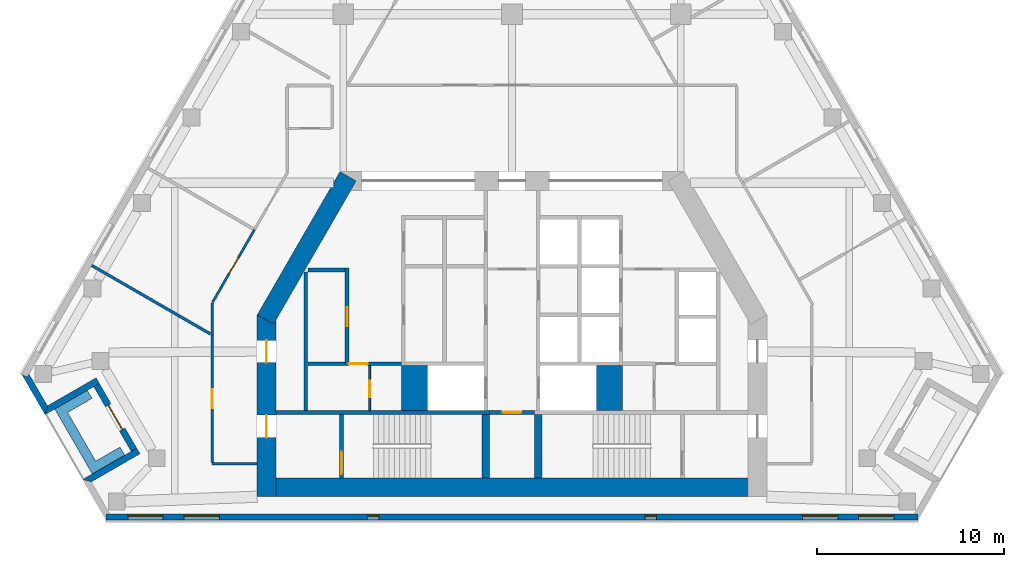
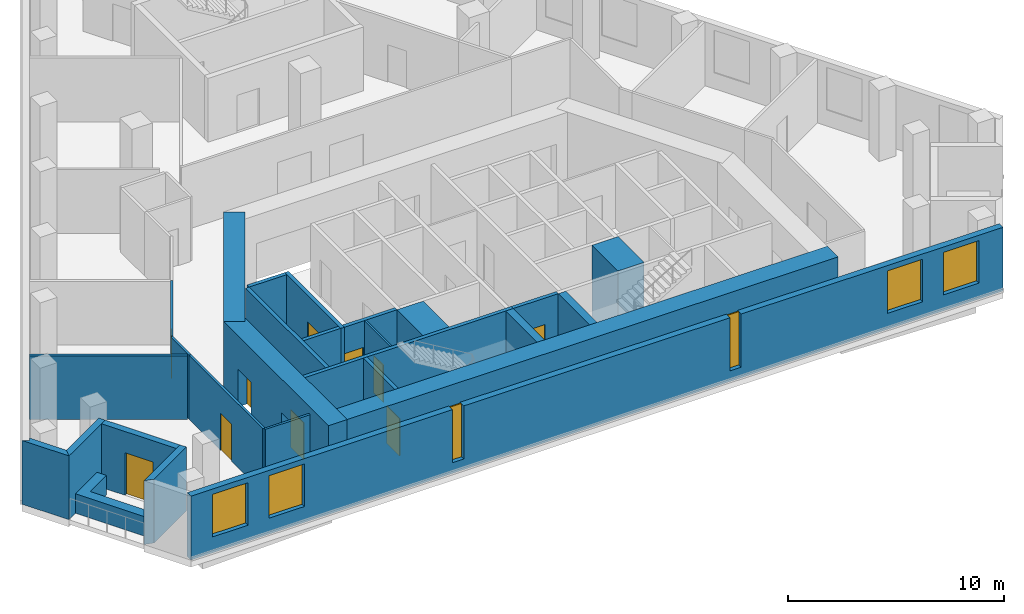
# One storey, part 2 of 7: 27 walls, 10 doors, 6 windows, 16 openings.
"""IFC4 building model written with IfcOpenShell, lengths in metres."""

from ifc_helpers import new_model, si_unit, direction, frame, frame_2d, origin, place, context, subcontext, project, spatial, polyline, rectangle, outline, extrude, material, layer, layer_set, type_object, element, fill, save


model = new_model("IFC4")

# Units and contexts
model_context = context("Model", 3, precision=1e-05, world=origin(), true_north=direction((0.0, 1.0)))
body_context = subcontext(model_context, "Body", "Model", "MODEL_VIEW")
ifc_project = project(units=[si_unit("LENGTHUNIT", "METRE"), si_unit("AREAUNIT", "SQUARE_METRE"), si_unit("VOLUMEUNIT", "CUBIC_METRE"), si_unit("PLANEANGLEUNIT", "RADIAN"), si_unit("MASSUNIT", "GRAM", prefix="KILO")], contexts=[model_context])

# Site, building, storey
site_placement = place(None, origin())
site = spatial("IfcSite", under=ifc_project, at=site_placement, CompositionType="ELEMENT")
building_placement = place(site_placement, origin())
building = spatial("IfcBuilding", under=site, at=building_placement, Name="Fogline Exchange Tower", CompositionType="ELEMENT")
storey_placement = place(building_placement, frame((0.0, 0.0, 247.5)))
storey = spatial("IfcBuildingStorey", under=building, at=storey_placement, Name="L56", CompositionType="ELEMENT", Elevation=247.5)

# Wall, opening, door
ifc_material_1 = material(Name="Blockwork partition", Category="masonry")
ifc_layer_1 = layer(ifc_material_1, 0.10009765625)
ifc_layer_set_1 = layer_set([ifc_layer_1], Name="CW10")
wall_type_1 = type_object("IfcWallType", Name="CW10", PredefinedType="PARTITIONING", material=ifc_layer_set_1)
wall_1_placement = place(storey_placement, frame((-7.60009765625, 5.85009765625, 0.0), z_axis=(0.0, 0.0, 1.0), x_axis=(0.0, 1.0, 0.0)))
wall_1 = element("IfcWall", 1, at=wall_1_placement, inside=storey, type_object=wall_type_1, Name="WC partition", PredefinedType="PARTITIONING", context=body_context, shape_type="SweptSolid", body=[
    extrude(rectangle(XDim=2.39990234375, YDim=0.10009765625, at=frame_2d((1.199951171875, 0.0))), origin(), (0.0, 0.0, 1.0), 3.60009765625),
])
opening_1_placement = place(wall_1_placement, frame((0.699951171875, 0.0, 0.0)))
opening_1 = element("IfcOpeningElement", 2, at=opening_1_placement, cuts=wall_1, Name="Opening T18-C009", PredefinedType="OPENING", context=body_context, shape_type="SweptSolid", body=[
    extrude(rectangle(XDim=0.89990234375, YDim=2.10009765625, at=frame_2d((0.449951171875, 1.050048828125))), frame((0.0, 0.06005859375, 0.0), z_axis=(0.0, -1.0, 0.0), x_axis=(1.0, 0.0, 0.0)), (0.0, 0.0, 1.0), 0.1201171875),
])
ifc_material_2 = material(Name="Steel and timber fire door", Category="steel")
door_type_1 = type_object("IfcDoorType", Name="D-CS1", OperationType="SINGLE_SWING_RIGHT", PredefinedType="DOOR", material=ifc_material_2)
door_1_placement = place(opening_1_placement, frame((0.89990234375, 0.0, 0.0), z_axis=(0.0, 0.0, 1.0), x_axis=(-1.0, 0.0, 0.0)))
door_1 = element("IfcDoor", 3, at=door_1_placement, inside=storey, type_object=door_type_1, Name="Door to Cleaner's Store", OperationType="SINGLE_SWING_RIGHT", OverallHeight=2.10009765625, OverallWidth=0.89990234375, PredefinedType="DOOR", context=body_context, shape_type="SweptSolid", body=[
    extrude(rectangle(XDim=0.89990234375, YDim=2.10009765625, at=frame_2d((0.449951171875, 1.050048828125))), frame((0.0, 0.02490234375, 0.0), z_axis=(0.0, -1.0, 0.0), x_axis=(1.0, 0.0, 0.0)), (0.0, 0.0, 1.0), 0.050048828125),
])
fill(opening_1, door_1)

# Walls
ifc_material_3 = material(Name="Concrete C60", Category="concrete")
ifc_layer_2 = layer(ifc_material_3, 1.39990234375)
ifc_layer_set_2 = layer_set([ifc_layer_2], Name="CW140")
wall_type_2 = type_object("IfcWallType", Name="CW140", PredefinedType="SOLIDWALL", material=ifc_layer_set_2)
for number, where, z_axis, x_axis, name in (
    (4, (-5.199951171875, 5.85009765625, -0.39990234375), (0.0, 0.0, 1.0), (0.0, 1.0, 0.0), "Lift shaft block wall"),
    (5, (5.199951171875, 5.85009765625, -0.39990234375), (0.0, 0.0, 1.0), (0.0, 1.0, 0.0), "Lift shaft block wall"),
):
    element("IfcWall", number, at=place(storey_placement, frame(where, z_axis=z_axis, x_axis=x_axis)), inside=storey, type_object=wall_type_2, Name=name, PredefinedType="SOLIDWALL", context=body_context, shape_type="SweptSolid", body=[
        extrude(rectangle(XDim=2.39990234375, YDim=1.39990234375, at=frame_2d((1.199951171875, 0.0))), origin(), (0.0, 0.0, 1.0), 4.0),
    ])
ifc_material_4 = material(Name="Concrete C40", Category="concrete")
ifc_layer_3 = layer(ifc_material_4, 0.199951171875)
ifc_layer_set_3 = layer_set([ifc_layer_3], Name="CW20")
wall_type_3 = type_object("IfcWallType", Name="CW20", PredefinedType="SOLIDWALL", material=ifc_layer_set_3)
wall_2_placement = place(storey_placement, frame((-11.0, 5.85009765625, 0.0), z_axis=(0.0, 0.0, 1.0), x_axis=(0.0, 1.0, 0.0)))
element("IfcWall", 6, at=wall_2_placement, inside=storey, type_object=wall_type_3, Name="Service room wall", PredefinedType="SOLIDWALL", context=body_context, shape_type="SweptSolid", body=[
    extrude(rectangle(XDim=7.39990234375, YDim=0.199951171875, at=frame_2d((3.699951171875, 0.0))), origin(), (0.0, 0.0, 1.0), 3.60009765625),
])

# Wall, opening, door
wall_3_placement = place(storey_placement, frame((-8.699951171875, 8.35009765625, 0.0), z_axis=(0.0, 0.0, 1.0), x_axis=(1.0, 0.0, 0.0)))
wall_3 = element("IfcWall", 7, at=wall_3_placement, inside=storey, type_object=wall_type_3, Name="WC wall", PredefinedType="SOLIDWALL", context=body_context, shape_type="SweptSolid", body=[
    extrude(rectangle(XDim=2.800048828125, YDim=0.199951171875, at=frame_2d((1.39990234375, 0.0))), origin(), (0.0, 0.0, 1.0), 3.60009765625),
])
opening_2_placement = place(wall_3_placement, origin())
opening_2 = element("IfcOpeningElement", 8, at=opening_2_placement, cuts=wall_3, Name="Opening T18-C008", PredefinedType="OPENING", context=body_context, shape_type="SweptSolid", body=[
    extrude(rectangle(XDim=1.0, YDim=2.10009765625, at=frame_2d((0.5, 1.050048828125))), frame((0.0, 0.10986328125, 0.0), z_axis=(0.0, -1.0, 0.0), x_axis=(1.0, 0.0, 0.0)), (0.0, 0.0, 1.0), 0.219970703125),
])
door_type_2 = type_object("IfcDoorType", Name="D-WC1", OperationType="SINGLE_SWING_LEFT", PredefinedType="DOOR", material=ifc_material_2)
door_2_placement = place(opening_2_placement, frame((1.0, 0.0, 0.0), z_axis=(0.0, 0.0, 1.0), x_axis=(-1.0, 0.0, 0.0)))
door_2 = element("IfcDoor", 9, at=door_2_placement, inside=storey, type_object=door_type_2, Name="Door to Men's WC", OperationType="SINGLE_SWING_LEFT", OverallHeight=2.10009765625, OverallWidth=1.0, PredefinedType="DOOR", context=body_context, shape_type="SweptSolid", body=[
    extrude(rectangle(XDim=1.0, YDim=2.10009765625, at=frame_2d((0.5, 1.050048828125))), frame((0.0, 0.02490234375, 0.0), z_axis=(0.0, -1.0, 0.0), x_axis=(1.0, 0.0, 0.0)), (0.0, 0.0, 1.0), 0.050048828125),
])
fill(opening_2, door_2)

# Wall
ifc_layer_4 = layer(ifc_material_4, 0.199951171875)
ifc_layer_set_4 = layer_set([ifc_layer_4], Name="CW20R")
wall_type_4 = type_object("IfcWallType", Name="CW20R", PredefinedType="SOLIDWALL", material=ifc_layer_set_4)
wall_4_placement = place(storey_placement, frame((-12.60009765625, 5.75, -0.39990234375), z_axis=(0.0, 0.0, 1.0), x_axis=(1.0, 0.0, 0.0)))
element("IfcWall", 10, at=wall_4_placement, inside=storey, type_object=wall_type_4, Name="Stair enclosure wall", PredefinedType="SOLIDWALL", context=body_context, shape_type="SweptSolid", body=[
    extrude(rectangle(XDim=11.400146484375, YDim=0.199951171875, at=frame_2d((5.7001953125, 0.0))), origin(), (0.0, 0.0, 1.0), 4.0),
])

# Wall, opening, door
wall_5_placement = place(storey_placement, frame((-1.199951171875, 5.75, -0.39990234375), z_axis=(0.0, 0.0, 1.0), x_axis=(1.0, 0.0, 0.0)))
wall_5 = element("IfcWall", 11, at=wall_5_placement, inside=storey, type_object=wall_type_4, Name="Stair enclosure wall", PredefinedType="SOLIDWALL", context=body_context, shape_type="SweptSolid", body=[
    extrude(rectangle(XDim=2.39990234375, YDim=0.199951171875, at=frame_2d((1.199951171875, 0.0))), origin(), (0.0, 0.0, 1.0), 4.0),
])
opening_3_placement = place(wall_5_placement, frame((0.699951171875, 0.0, 0.39990234375)))
opening_3 = element("IfcOpeningElement", 12, at=opening_3_placement, cuts=wall_5, Name="Opening T18-C007", PredefinedType="OPENING", context=body_context, shape_type="SweptSolid", body=[
    extrude(rectangle(XDim=1.0, YDim=2.10009765625, at=frame_2d((0.5, 1.050048828125))), frame((0.0, 0.10986328125, 0.0), z_axis=(0.0, -1.0, 0.0), x_axis=(1.0, 0.0, 0.0)), (0.0, 0.0, 1.0), 0.219970703125),
])
door_type_3 = type_object("IfcDoorType", Name="D-RM1", OperationType="SINGLE_SWING_LEFT", PredefinedType="DOOR", material=ifc_material_2)
door_3_placement = place(opening_3_placement, frame((1.0, 0.0, 0.0), z_axis=(0.0, 0.0, 1.0), x_axis=(-1.0, 0.0, 0.0)))
door_3 = element("IfcDoor", 13, at=door_3_placement, inside=storey, type_object=door_type_3, Name="Door to Cable Store", OperationType="SINGLE_SWING_RIGHT", OverallHeight=2.10009765625, OverallWidth=1.0, PredefinedType="DOOR", context=body_context, shape_type="SweptSolid", body=[
    extrude(rectangle(XDim=1.0, YDim=2.10009765625, at=frame_2d((0.5, 1.050048828125))), frame((0.0, 0.02490234375, 0.0), z_axis=(0.0, -1.0, 0.0), x_axis=(1.0, 0.0, 0.0)), (0.0, 0.0, 1.0), 0.050048828125),
])
fill(opening_3, door_3)

wall_6_placement = place(storey_placement, frame((-9.10009765625, 2.25, -0.39990234375), z_axis=(0.0, 0.0, 1.0), x_axis=(0.0, 1.0, 0.0)))
wall_6 = element("IfcWall", 14, at=wall_6_placement, inside=storey, type_object=wall_type_4, Name="Stair enclosure wall", PredefinedType="SOLIDWALL", context=body_context, shape_type="SweptSolid", body=[
    extrude(rectangle(XDim=3.39990234375, YDim=0.199951171875, at=frame_2d((1.699951171875, 0.0))), origin(), (0.0, 0.0, 1.0), 4.0),
])
opening_4_placement = place(wall_6_placement, frame((0.199951171875, 0.0, 0.39990234375)))
opening_4 = element("IfcOpeningElement", 15, at=opening_4_placement, cuts=wall_6, Name="Opening T18-C011", PredefinedType="OPENING", context=body_context, shape_type="SweptSolid", body=[
    extrude(rectangle(XDim=1.199951171875, YDim=2.10009765625, at=frame_2d((0.60009765625, 1.050048828125))), frame((0.0, 0.10986328125, 0.0), z_axis=(0.0, -1.0, 0.0), x_axis=(1.0, 0.0, 0.0)), (0.0, 0.0, 1.0), 0.219970703125),
])
door_type_4 = type_object("IfcDoorType", Name="D-ST1", OperationType="SINGLE_SWING_LEFT", PredefinedType="DOOR", material=ifc_material_2)
door_4_placement = place(opening_4_placement, frame((1.199951171875, 0.0, 0.0), z_axis=(0.0, 0.0, 1.0), x_axis=(-1.0, 0.0, 0.0)))
door_4 = element("IfcDoor", 16, at=door_4_placement, inside=storey, type_object=door_type_4, Name="Stair door ST1", OperationType="SINGLE_SWING_RIGHT", OverallHeight=2.10009765625, OverallWidth=1.199951171875, PredefinedType="DOOR", context=body_context, shape_type="SweptSolid", body=[
    extrude(rectangle(XDim=1.199951171875, YDim=2.10009765625, at=frame_2d((0.60009765625, 1.050048828125))), frame((0.0, 0.02490234375, 0.0), z_axis=(0.0, -1.0, 0.0), x_axis=(1.0, 0.0, 0.0)), (0.0, 0.0, 1.0), 0.050048828125),
])
fill(opening_4, door_4)

ifc_layer_5 = layer(ifc_material_4, 0.199951171875)
ifc_layer_set_5 = layer_set([ifc_layer_5], Name="CW20S")
wall_type_5 = type_object("IfcWallType", Name="CW20S", PredefinedType="SOLIDWALL", material=ifc_layer_set_5)
wall_7_placement = place(storey_placement, frame((-8.800048828125, 8.25, -0.39990234375), z_axis=(0.0, 0.0, 1.0), x_axis=(0.0, 1.0, 0.0)))
wall_7 = element("IfcWall", 17, at=wall_7_placement, inside=storey, type_object=wall_type_5, Name="Lift shaft wall", PredefinedType="SOLIDWALL", context=body_context, shape_type="SweptSolid", body=[
    extrude(rectangle(XDim=5.199951171875, YDim=0.199951171875, at=frame_2d((2.60009765625, 0.0))), origin(), (0.0, 0.0, 1.0), 4.0),
])
opening_5_placement = place(wall_7_placement, frame((2.10009765625, 0.0, 0.39990234375)))
opening_5 = element("IfcOpeningElement", 18, at=opening_5_placement, cuts=wall_7, Name="Opening T18-C001", PredefinedType="OPENING", context=body_context, shape_type="SweptSolid", body=[
    extrude(rectangle(XDim=1.0, YDim=2.10009765625, at=frame_2d((0.5, 1.050048828125))), frame((0.0, 0.10986328125, 0.0), z_axis=(0.0, -1.0, 0.0), x_axis=(1.0, 0.0, 0.0)), (0.0, 0.0, 1.0), 0.219970703125),
])
door_5_placement = place(opening_5_placement, origin())
door_5 = element("IfcDoor", 19, at=door_5_placement, inside=storey, type_object=door_type_3, Name="Door to Storage Room", OperationType="SINGLE_SWING_RIGHT", OverallHeight=2.10009765625, OverallWidth=1.0, PredefinedType="DOOR", context=body_context, shape_type="SweptSolid", body=[
    extrude(rectangle(XDim=1.0, YDim=2.10009765625, at=frame_2d((0.5, 1.050048828125))), frame((0.0, 0.02490234375, 0.0), z_axis=(0.0, -1.0, 0.0), x_axis=(1.0, 0.0, 0.0)), (0.0, 0.0, 1.0), 0.050048828125),
])
fill(opening_5, door_5)

# Walls
for number, where, z_axis, x_axis, name in (
    (20, (-10.89990234375, 8.35009765625, -0.39990234375), (0.0, 0.0, 1.0), (1.0, 0.0, 0.0), "Lift shaft wall"),
    (21, (-10.89990234375, 13.35009765625, -0.39990234375), (0.0, 0.0, 1.0), (1.0, 0.0, 0.0), "Lift shaft wall"),
):
    element("IfcWall", number, at=place(storey_placement, frame(where, z_axis=z_axis, x_axis=x_axis)), inside=storey, type_object=wall_type_5, Name=name, PredefinedType="SOLIDWALL", context=body_context, shape_type="SweptSolid", body=[
        extrude(rectangle(XDim=2.0, YDim=0.199951171875, at=frame_2d((1.0, 0.0))), origin(), (0.0, 0.0, 1.0), 4.0),
    ])
ifc_layer_6 = layer(ifc_material_4, 0.39990234375)
ifc_layer_set_6 = layer_set([ifc_layer_6], Name="CW40R")
wall_type_6 = type_object("IfcWallType", Name="CW40R", PredefinedType="SOLIDWALL", material=ifc_layer_set_6)
for number, where, z_axis, x_axis, name in (
    (22, (-1.39990234375, 2.25, -0.39990234375), (0.0, 0.0, 1.0), (0.0, 1.0, 0.0), "Stair and lift shaft wall"),
    (23, (1.39990234375, 2.25, -0.39990234375), (0.0, 0.0, 1.0), (0.0, 1.0, 0.0), "Stair and lift shaft wall"),
):
    element("IfcWall", number, at=place(storey_placement, frame(where, z_axis=z_axis, x_axis=x_axis)), inside=storey, type_object=wall_type_6, Name=name, PredefinedType="SOLIDWALL", context=body_context, shape_type="SweptSolid", body=[
        extrude(rectangle(XDim=3.39990234375, YDim=0.39990234375, at=frame_2d((1.699951171875, 0.0))), origin(), (0.0, 0.0, 1.0), 4.0),
    ])
ifc_material_5 = material(Name="Brick masonry", Category="masonry")
ifc_layer_7 = layer(ifc_material_5, 0.340087890625)
ifc_layer_set_7 = layer_set([ifc_layer_7], Name="FW1")
wall_type_7 = type_object("IfcWallType", Name="FW1", PredefinedType="SOLIDWALL", material=ifc_layer_set_7)
wall_8_placement = place(storey_placement, origin())
element("IfcWall", 24, at=wall_8_placement, inside=storey, type_object=wall_type_7, Name="Brick wall L56 SW-c1", PredefinedType="SOLIDWALL", context=body_context, shape_type="SweptSolid", body=[
    extrude(outline(polyline([(-24.91943359375, 5.6279296875), (-26.17041015625, 7.794921875), (-26.169921875, 7.79541015625), (-25.875244140625, 7.625), (-25.77685546875, 7.79541015625), (-24.794189453125, 6.09375), (-24.9189453125, 5.6279296875), (-24.91943359375, 5.6279296875)])), origin(), (0.0, 0.0, 1.0), 3.60009765625),
])
wall_9_placement = place(storey_placement, origin())
element("IfcWall", 25, at=wall_9_placement, inside=storey, type_object=wall_type_7, Name="Brick wall L56 SW-s1", PredefinedType="SOLIDWALL", context=body_context, shape_type="SweptSolid", body=[
    extrude(outline(polyline([(-22.196533203125, 7.594482421875), (-22.026123046875, 7.298828125), (-22.321044921875, 7.128662109375), (-24.919921875, 5.628173828125), (-24.920166015625, 5.62841796875), (-24.79541015625, 6.093994140625), (-22.196533203125, 7.594482421875)])), origin(), (0.0, 0.0, 1.0), 3.60009765625),
])

# Wall, opening, door
wall_10_placement = place(storey_placement, frame((-22.174072265625, 7.214111328125, 0.0), z_axis=(0.0, 0.0, 1.0), x_axis=(0.49999894854, -0.866026010844, 0.0)))
wall_10 = element("IfcWall", 26, at=wall_10_placement, inside=storey, type_object=wall_type_7, Name="Brick wall L56 SW-bk", PredefinedType="SOLIDWALL", context=body_context, shape_type="SweptSolid", body=[
    extrude(rectangle(XDim=4.0, YDim=0.340087890625, at=frame_2d((2.0, 0.0))), origin(), (0.0, 0.0, 1.0), 3.60009765625),
])
opening_6_placement = place(wall_10_placement, frame((1.25, 0.0, 0.0)))
opening_6 = element("IfcOpeningElement", 27, at=opening_6_placement, cuts=wall_10, Name="Opening T18-E021", PredefinedType="OPENING", context=body_context, shape_type="SweptSolid", body=[
    extrude(rectangle(XDim=1.5, YDim=2.39990234375, at=frame_2d((0.75, 1.199951171875))), frame((0.0, 0.18017578125, 0.0), z_axis=(0.0, -1.0, 0.0), x_axis=(1.0, 0.0, 0.0)), (0.0, 0.0, 1.0), 0.360107421875),
])
ifc_material_6 = material(Name="Aluminium and glass", Category="aluminium")
door_type_5 = type_object("IfcDoorType", Name="ED4", OperationType="SINGLE_SWING_LEFT", PredefinedType="DOOR", material=ifc_material_6)
door_6_placement = place(opening_6_placement, frame((1.5, 0.0, 0.0), z_axis=(0.0, 0.0, 1.0), x_axis=(-1.0, 0.0, 0.0)))
door_6 = element("IfcDoor", 28, at=door_6_placement, inside=storey, type_object=door_type_5, Name="Balcony door L56 SW", OperationType="DOUBLE_DOOR_SINGLE_SWING", OverallHeight=2.39990234375, OverallWidth=1.5, PredefinedType="DOOR", context=body_context, shape_type="SweptSolid", body=[
    extrude(rectangle(XDim=1.5, YDim=2.39990234375, at=frame_2d((0.75, 1.199951171875))), frame((0.0, 0.02490234375, 0.0), z_axis=(0.0, -1.0, 0.0), x_axis=(1.0, 0.0, 0.0)), (0.0, 0.0, 1.0), 0.050048828125),
])
fill(opening_6, door_6)

# Wall
wall_11_placement = place(storey_placement, origin())
element("IfcWall", 29, at=wall_11_placement, inside=storey, type_object=wall_type_7, Name="Brick wall L56 SW-s2", PredefinedType="SOLIDWALL", context=body_context, shape_type="SweptSolid", body=[
    extrude(outline(polyline([(-22.920654296875, 2.1650390625), (-20.321533203125, 3.66552734375), (-20.026611328125, 3.8359375), (-19.85595703125, 3.540283203125), (-22.454833984375, 2.0400390625), (-22.92041015625, 2.164794921875), (-22.920654296875, 2.1650390625)])), origin(), (0.0, 0.0, 1.0), 3.60009765625),
])

# Wall, openings, windows
wall_12_placement = place(storey_placement, frame((-21.66943359375, 0.169921875, 0.0), z_axis=(0.0, 0.0, 1.0), x_axis=(1.0, 0.0, 0.0)))
wall_12 = element("IfcWall", 30, at=wall_12_placement, inside=storey, type_object=wall_type_7, Name="Brick wall L56 S", PredefinedType="SOLIDWALL", context=body_context, shape_type="SweptSolid", body=[
    extrude(rectangle(XDim=43.3388671875, YDim=0.340087890625, at=frame_2d((21.66943359375, 0.0))), origin(), (0.0, 0.0, 1.0), 3.60009765625),
])
opening_7_placement = place(wall_12_placement, frame((1.16943359375, 0.0, 0.89990234375)))
opening_7 = element("IfcOpeningElement", 31, at=opening_7_placement, cuts=wall_12, Name="Opening W1", PredefinedType="OPENING", context=body_context, shape_type="SweptSolid", body=[
    extrude(rectangle(XDim=1.885009765625, YDim=2.39990234375, at=frame_2d((0.9423828125, 1.199951171875))), frame((0.0, 0.18017578125, 0.0), z_axis=(0.0, -1.0, 0.0), x_axis=(1.0, 0.0, 0.0)), (0.0, 0.0, 1.0), 0.360107421875),
])
opening_8_placement = place(wall_12_placement, frame((4.16943359375, 0.0, 0.89990234375)))
opening_8 = element("IfcOpeningElement", 32, at=opening_8_placement, cuts=wall_12, Name="Opening W1", PredefinedType="OPENING", context=body_context, shape_type="SweptSolid", body=[
    extrude(rectangle(XDim=1.885009765625, YDim=2.39990234375, at=frame_2d((0.9423828125, 1.199951171875))), frame((0.0, 0.18017578125, 0.0), z_axis=(0.0, -1.0, 0.0), x_axis=(1.0, 0.0, 0.0)), (0.0, 0.0, 1.0), 0.360107421875),
])
opening_9_placement = place(wall_12_placement, frame((37.16943359375, 0.0, 0.89990234375)))
opening_9 = element("IfcOpeningElement", 33, at=opening_9_placement, cuts=wall_12, Name="Opening W1", PredefinedType="OPENING", context=body_context, shape_type="SweptSolid", body=[
    extrude(rectangle(XDim=1.885009765625, YDim=2.39990234375, at=frame_2d((0.9423828125, 1.199951171875))), frame((0.0, 0.18017578125, 0.0), z_axis=(0.0, -1.0, 0.0), x_axis=(1.0, 0.0, 0.0)), (0.0, 0.0, 1.0), 0.360107421875),
])
opening_10_placement = place(wall_12_placement, frame((40.16943359375, 0.0, 0.89990234375)))
opening_10 = element("IfcOpeningElement", 34, at=opening_10_placement, cuts=wall_12, Name="Opening W1", PredefinedType="OPENING", context=body_context, shape_type="SweptSolid", body=[
    extrude(rectangle(XDim=1.885009765625, YDim=2.39990234375, at=frame_2d((0.9423828125, 1.199951171875))), frame((0.0, 0.18017578125, 0.0), z_axis=(0.0, -1.0, 0.0), x_axis=(1.0, 0.0, 0.0)), (0.0, 0.0, 1.0), 0.360107421875),
])
opening_11_placement = place(wall_12_placement, frame((13.96923828125, 0.0, 0.60009765625)))
opening_11 = element("IfcOpeningElement", 35, at=opening_11_placement, cuts=wall_12, Name="Opening W5", PredefinedType="OPENING", context=body_context, shape_type="SweptSolid", body=[
    extrude(rectangle(XDim=0.60009765625, YDim=3.0, at=frame_2d((0.300048828125, 1.5))), frame((0.0, 0.18017578125, 0.0), z_axis=(0.0, -1.0, 0.0), x_axis=(1.0, 0.0, 0.0)), (0.0, 0.0, 1.0), 0.360107421875),
])
opening_12_placement = place(wall_12_placement, frame((28.769287109375, 0.0, 0.60009765625)))
opening_12 = element("IfcOpeningElement", 36, at=opening_12_placement, cuts=wall_12, Name="Opening W5", PredefinedType="OPENING", context=body_context, shape_type="SweptSolid", body=[
    extrude(rectangle(XDim=0.60009765625, YDim=3.0, at=frame_2d((0.300048828125, 1.5))), frame((0.0, 0.18017578125, 0.0), z_axis=(0.0, -1.0, 0.0), x_axis=(1.0, 0.0, 0.0)), (0.0, 0.0, 1.0), 0.360107421875),
])
window_type_1 = type_object("IfcWindowType", Name="W1", PartitioningType="SINGLE_PANEL", PredefinedType="WINDOW", material=ifc_material_6)
window_1_placement = place(opening_7_placement, origin())
window_1 = element("IfcWindow", 37, at=window_1_placement, inside=storey, type_object=window_type_1, Name="W1 W1", OverallHeight=2.39990234375, OverallWidth=1.885009765625, PartitioningType="SINGLE_PANEL", PredefinedType="WINDOW", context=body_context, shape_type="SweptSolid", body=[
    extrude(rectangle(XDim=1.885009765625, YDim=2.39990234375, at=frame_2d((0.9423828125, 1.199951171875))), frame((0.0, 0.110107421875, 0.0), z_axis=(0.0, -1.0, 0.0), x_axis=(1.0, 0.0, 0.0)), (0.0, 0.0, 1.0), 0.06005859375),
])
fill(opening_7, window_1)
window_2_placement = place(opening_8_placement, origin())
window_2 = element("IfcWindow", 38, at=window_2_placement, inside=storey, type_object=window_type_1, Name="W1 W1", OverallHeight=2.39990234375, OverallWidth=1.885009765625, PartitioningType="SINGLE_PANEL", PredefinedType="WINDOW", context=body_context, shape_type="SweptSolid", body=[
    extrude(rectangle(XDim=1.885009765625, YDim=2.39990234375, at=frame_2d((0.9423828125, 1.199951171875))), frame((0.0, 0.110107421875, 0.0), z_axis=(0.0, -1.0, 0.0), x_axis=(1.0, 0.0, 0.0)), (0.0, 0.0, 1.0), 0.06005859375),
])
fill(opening_8, window_2)
window_3_placement = place(opening_9_placement, origin())
window_3 = element("IfcWindow", 39, at=window_3_placement, inside=storey, type_object=window_type_1, Name="W1 W1", OverallHeight=2.39990234375, OverallWidth=1.885009765625, PartitioningType="SINGLE_PANEL", PredefinedType="WINDOW", context=body_context, shape_type="SweptSolid", body=[
    extrude(rectangle(XDim=1.885009765625, YDim=2.39990234375, at=frame_2d((0.9423828125, 1.199951171875))), frame((0.0, 0.110107421875, 0.0), z_axis=(0.0, -1.0, 0.0), x_axis=(1.0, 0.0, 0.0)), (0.0, 0.0, 1.0), 0.06005859375),
])
fill(opening_9, window_3)
window_4_placement = place(opening_10_placement, origin())
window_4 = element("IfcWindow", 40, at=window_4_placement, inside=storey, type_object=window_type_1, Name="W1 W1", OverallHeight=2.39990234375, OverallWidth=1.885009765625, PartitioningType="SINGLE_PANEL", PredefinedType="WINDOW", context=body_context, shape_type="SweptSolid", body=[
    extrude(rectangle(XDim=1.885009765625, YDim=2.39990234375, at=frame_2d((0.9423828125, 1.199951171875))), frame((0.0, 0.110107421875, 0.0), z_axis=(0.0, -1.0, 0.0), x_axis=(1.0, 0.0, 0.0)), (0.0, 0.0, 1.0), 0.06005859375),
])
fill(opening_10, window_4)
window_type_2 = type_object("IfcWindowType", Name="W5", PartitioningType="SINGLE_PANEL", PredefinedType="WINDOW", material=ifc_material_6)
window_5_placement = place(opening_11_placement, origin())
window_5 = element("IfcWindow", 41, at=window_5_placement, inside=storey, type_object=window_type_2, Name="W5 W5", OverallHeight=3.0, OverallWidth=0.60009765625, PartitioningType="SINGLE_PANEL", PredefinedType="WINDOW", context=body_context, shape_type="SweptSolid", body=[
    extrude(rectangle(XDim=0.60009765625, YDim=3.0, at=frame_2d((0.300048828125, 1.5))), frame((0.0, 0.110107421875, 0.0), z_axis=(0.0, -1.0, 0.0), x_axis=(1.0, 0.0, 0.0)), (0.0, 0.0, 1.0), 0.06005859375),
])
fill(opening_11, window_5)
window_6_placement = place(opening_12_placement, origin())
window_6 = element("IfcWindow", 42, at=window_6_placement, inside=storey, type_object=window_type_2, Name="W5 W5", OverallHeight=3.0, OverallWidth=0.60009765625, PartitioningType="SINGLE_PANEL", PredefinedType="WINDOW", context=body_context, shape_type="SweptSolid", body=[
    extrude(rectangle(XDim=0.60009765625, YDim=3.0, at=frame_2d((0.300048828125, 1.5))), frame((0.0, 0.110107421875, 0.0), z_axis=(0.0, -1.0, 0.0), x_axis=(1.0, 0.0, 0.0)), (0.0, 0.0, 1.0), 0.06005859375),
])
fill(opening_12, window_6)

# Walls
ifc_material_7 = material(Name="Concrete C30", Category="concrete")
ifc_layer_8 = layer(ifc_material_7, 0.199951171875)
ifc_layer_set_8 = layer_set([ifc_layer_8], Name="PL1")
wall_type_8 = type_object("IfcWallType", Name="PL1", PredefinedType="USERDEFINED", material=ifc_layer_set_8)
wall_13_placement = place(storey_placement, origin())
element("IfcWall", 43, at=wall_13_placement, inside=storey, type_object=wall_type_8, Name="PLANTER balcony L56 SW", ObjectType="PLANTER", PredefinedType="USERDEFINED", context=body_context, shape_type="SweptSolid", body=[
    extrude(outline(polyline([(-20.917724609375, 3.898193359375), (-22.216796875, 3.148193359375), (-23.716796875, 5.74609375), (-22.417724609375, 6.49609375), (-22.667724609375, 6.92919921875), (-24.399658203125, 5.92919921875), (-24.149658203125, 5.49609375), (-22.399658203125, 2.465087890625), (-21.966796875, 2.715087890625), (-21.966796875, 2.715087890625), (-20.667724609375, 3.465087890625), (-20.917724609375, 3.898193359375)])), origin(), (0.0, 0.0, 1.0), 1.10009765625),
])
ifc_material_8 = material(Name="Plasterboard corridor partition with mineral wool, 2 layers each side")
ifc_layer_9 = layer(ifc_material_8, 0.125)
ifc_layer_set_9 = layer_set([ifc_layer_9], Name="PW2")
wall_type_9 = type_object("IfcWallType", Name="PW2", PredefinedType="PARTITIONING", material=ifc_layer_set_9)
wall_14_placement = place(storey_placement, frame((-16.0, 9.88134765625, 0.0), z_axis=(0.0, 0.0, 1.0), x_axis=(0.0, 1.0, 0.0)))
element("IfcWall", 44, at=wall_14_placement, inside=storey, type_object=wall_type_9, Name="wall-L56-W013", PredefinedType="PARTITIONING", context=body_context, shape_type="SweptSolid", body=[
    extrude(rectangle(XDim=1.70703125, YDim=0.125, at=frame_2d((0.853515625, 0.0))), origin(), (0.0, 0.0, 1.0), 3.60009765625),
])

# Wall, opening, door
wall_15_placement = place(storey_placement, frame((-15.984619140625, 11.615234375, 0.0), z_axis=(0.0, 0.0, 1.0), x_axis=(0.499992261645, 0.86602987148, 0.0)))
wall_15 = element("IfcWall", 45, at=wall_15_placement, inside=storey, type_object=wall_type_9, Name="wall-L56-W014", PredefinedType="PARTITIONING", context=body_context, shape_type="SweptSolid", body=[
    extrude(rectangle(XDim=4.49072265625, YDim=0.125, at=frame_2d((2.245361328125, 0.0))), origin(), (0.0, 0.0, 1.0), 3.60009765625),
])
opening_13_placement = place(wall_15_placement, frame((1.745361328125, 0.0, 0.0)))
opening_13 = element("IfcOpeningElement", 46, at=opening_13_placement, cuts=wall_15, Name="Opening T18-D006", PredefinedType="OPENING", context=body_context, shape_type="SweptSolid", body=[
    extrude(rectangle(XDim=1.0, YDim=2.10009765625, at=frame_2d((0.5, 1.050048828125))), frame((0.0, 0.072509765625, 0.0), z_axis=(0.0, -1.0, 0.0), x_axis=(1.0, 0.0, 0.0)), (0.0, 0.0, 1.0), 0.14501953125),
])
ifc_material_9 = material(Name="Fire-rated timber door leaf with steel frame", Category="steel")
door_type_6 = type_object("IfcDoorType", Name="D3", OperationType="SINGLE_SWING_LEFT", PredefinedType="DOOR", material=ifc_material_9)
door_7_placement = place(opening_13_placement, origin())
door_7 = element("IfcDoor", 47, at=door_7_placement, inside=storey, type_object=door_type_6, Name="door-L56-D006", OperationType="SINGLE_SWING_LEFT", OverallHeight=2.10009765625, OverallWidth=1.0, PredefinedType="DOOR", context=body_context, shape_type="SweptSolid", body=[
    extrude(rectangle(XDim=1.0, YDim=2.10009765625, at=frame_2d((0.5, 1.050048828125))), frame((0.0, 0.02490234375, 0.0), z_axis=(0.0, -1.0, 0.0), x_axis=(1.0, 0.0, 0.0)), (0.0, 0.0, 1.0), 0.050048828125),
])
fill(opening_13, door_7)

# Wall
wall_16_placement = place(storey_placement, frame((-13.60009765625, 3.0, 0.0), z_axis=(0.0, 0.0, 1.0), x_axis=(-1.0, 0.0, 0.0)))
element("IfcWall", 48, at=wall_16_placement, inside=storey, type_object=wall_type_9, Name="wall-L56-W015", PredefinedType="PARTITIONING", context=body_context, shape_type="SweptSolid", body=[
    extrude(rectangle(XDim=2.39990234375, YDim=0.125, at=frame_2d((1.199951171875, 0.0))), origin(), (0.0, 0.0, 1.0), 3.60009765625),
])

# Wall, opening, door
wall_17_placement = place(storey_placement, frame((-16.0, 3.0625, 0.0), z_axis=(0.0, 0.0, 1.0), x_axis=(0.0, 1.0, 0.0)))
wall_17 = element("IfcWall", 49, at=wall_17_placement, inside=storey, type_object=wall_type_9, Name="wall-L56-W016", PredefinedType="PARTITIONING", context=body_context, shape_type="SweptSolid", body=[
    extrude(rectangle(XDim=6.81884765625, YDim=0.125, at=frame_2d((3.409423828125, 0.0))), origin(), (0.0, 0.0, 1.0), 3.60009765625),
])
opening_14_placement = place(wall_17_placement, frame((2.909423828125, 0.0, 0.0)))
opening_14 = element("IfcOpeningElement", 50, at=opening_14_placement, cuts=wall_17, Name="Opening T18-D007", PredefinedType="OPENING", context=body_context, shape_type="SweptSolid", body=[
    extrude(rectangle(XDim=1.0, YDim=2.10009765625, at=frame_2d((0.5, 1.050048828125))), frame((0.0, 0.072509765625, 0.0), z_axis=(0.0, -1.0, 0.0), x_axis=(1.0, 0.0, 0.0)), (0.0, 0.0, 1.0), 0.14501953125),
])
door_8_placement = place(opening_14_placement, origin())
door_8 = element("IfcDoor", 51, at=door_8_placement, inside=storey, type_object=door_type_6, Name="door-L56-D007", OperationType="SINGLE_SWING_LEFT", OverallHeight=2.10009765625, OverallWidth=1.0, PredefinedType="DOOR", context=body_context, shape_type="SweptSolid", body=[
    extrude(rectangle(XDim=1.0, YDim=2.10009765625, at=frame_2d((0.5, 1.050048828125))), frame((0.0, 0.02490234375, 0.0), z_axis=(0.0, -1.0, 0.0), x_axis=(1.0, 0.0, 0.0)), (0.0, 0.0, 1.0), 0.050048828125),
])
fill(opening_14, door_8)

# Walls
ifc_material_10 = material(Name="Plasterboard demising partition with mineral wool and acoustic board")
ifc_layer_10 = layer(ifc_material_10, 0.14990234375)
ifc_layer_set_10 = layer_set([ifc_layer_10], Name="PW3")
wall_type_10 = type_object("IfcWallType", Name="PW3", PredefinedType="PARTITIONING", material=ifc_layer_set_10)
wall_18_placement = place(storey_placement, frame((-16.100341796875, 9.939453125, 0.0), z_axis=(0.0, 0.0, 1.0), x_axis=(-0.866032584144, 0.499987563046, 0.0)))
element("IfcWall", 52, at=wall_18_placement, inside=storey, type_object=wall_type_10, Name="wall-L56-W032", PredefinedType="PARTITIONING", context=body_context, shape_type="SweptSolid", body=[
    extrude(rectangle(XDim=7.307373046875, YDim=0.14990234375, at=frame_2d((3.65380859375, 0.0))), origin(), (0.0, 0.0, 1.0), 3.60009765625),
])
ifc_layer_11 = layer(ifc_material_3, 1.0)
ifc_layer_set_11 = layer_set([ifc_layer_11], Name="SW03")
wall_type_11 = type_object("IfcWallType", Name="SW03", PredefinedType="SHEAR", material=ifc_layer_set_11)
wall_19_placement = place(storey_placement, frame((-13.60009765625, 1.75, 0.0), z_axis=(0.0, 0.0, 1.0), x_axis=(1.0, 0.0, 0.0)))
element("IfcWall", 53, at=wall_19_placement, inside=storey, type_object=wall_type_11, Name="L56-W901", PredefinedType="SHEAR", context=body_context, shape_type="SweptSolid", body=[
    extrude(rectangle(XDim=27.2001953125, YDim=1.0, at=frame_2d((13.60009765625, 0.0))), origin(), (0.0, 0.0, 1.0), 4.0),
])
wall_20_placement = place(storey_placement, frame((-8.74755859375, 18.35009765625, 0.0), z_axis=(0.0, 0.0, 1.0), x_axis=(-0.499995021168, -0.866028278295, 0.0)))
element("IfcWall", 54, at=wall_20_placement, inside=storey, type_object=wall_type_11, Name="L56-W905", PredefinedType="SHEAR", context=body_context, shape_type="SweptSolid", body=[
    extrude(rectangle(XDim=8.8388671875, YDim=1.0, at=frame_2d((4.41943359375, 0.0))), origin(), (0.0, 0.0, 1.0), 4.0),
])

# Wall, openings, doors
wall_21_placement = place(storey_placement, frame((-13.10009765625, 10.9453125, 0.0), z_axis=(0.0, 0.0, 1.0), x_axis=(0.0, -1.0, 0.0)))
wall_21 = element("IfcWall", 55, at=wall_21_placement, inside=storey, type_object=wall_type_11, Name="L56-W906", PredefinedType="SHEAR", context=body_context, shape_type="SweptSolid", body=[
    extrude(rectangle(XDim=9.6953125, YDim=1.0, at=frame_2d((4.84765625, 0.0))), origin(), (0.0, 0.0, 1.0), 4.0),
])
opening_15_placement = place(wall_21_placement, frame((5.345458984375, 0.0, 0.0)))
opening_15 = element("IfcOpeningElement", 56, at=opening_15_placement, cuts=wall_21, Name="Opening T18-C010", PredefinedType="OPENING", context=body_context, shape_type="SweptSolid", body=[
    extrude(rectangle(XDim=1.199951171875, YDim=2.10009765625, at=frame_2d((0.60009765625, 1.050048828125))), frame((0.0, 0.510009765625, 0.0), z_axis=(0.0, -1.0, 0.0), x_axis=(1.0, 0.0, 0.0)), (0.0, 0.0, 1.0), 1.02001953125),
])
opening_16_placement = place(wall_21_placement, frame((1.345458984375, 0.0, 0.0)))
opening_16 = element("IfcOpeningElement", 57, at=opening_16_placement, cuts=wall_21, Name="Opening T18-C012", PredefinedType="OPENING", context=body_context, shape_type="SweptSolid", body=[
    extrude(rectangle(XDim=1.199951171875, YDim=2.10009765625, at=frame_2d((0.60009765625, 1.050048828125))), frame((0.0, 0.510009765625, 0.0), z_axis=(0.0, -1.0, 0.0), x_axis=(1.0, 0.0, 0.0)), (0.0, 0.0, 1.0), 1.02001953125),
])
door_type_7 = type_object("IfcDoorType", Name="D-FR1", OperationType="SINGLE_SWING_RIGHT", PredefinedType="DOOR", material=ifc_material_2)
door_9_placement = place(opening_15_placement, origin())
door_9 = element("IfcDoor", 58, at=door_9_placement, inside=storey, type_object=door_type_7, Name="Front room door ST1", OperationType="SINGLE_SWING_LEFT", OverallHeight=2.10009765625, OverallWidth=1.199951171875, PredefinedType="DOOR", context=body_context, shape_type="SweptSolid", body=[
    extrude(rectangle(XDim=1.199951171875, YDim=2.10009765625, at=frame_2d((0.60009765625, 1.050048828125))), frame((0.0, 0.02490234375, 0.0), z_axis=(0.0, -1.0, 0.0), x_axis=(1.0, 0.0, 0.0)), (0.0, 0.0, 1.0), 0.050048828125),
])
fill(opening_15, door_9)
door_type_8 = type_object("IfcDoorType", Name="D-SV1", OperationType="SINGLE_SWING_LEFT", PredefinedType="DOOR", material=ifc_material_2)
door_10_placement = place(opening_16_placement, origin())
door_10 = element("IfcDoor", 59, at=door_10_placement, inside=storey, type_object=door_type_8, Name="Service door W", OperationType="SINGLE_SWING_LEFT", OverallHeight=2.10009765625, OverallWidth=1.199951171875, PredefinedType="DOOR", context=body_context, shape_type="SweptSolid", body=[
    extrude(rectangle(XDim=1.199951171875, YDim=2.10009765625, at=frame_2d((0.60009765625, 1.050048828125))), frame((0.0, 0.02490234375, 0.0), z_axis=(0.0, -1.0, 0.0), x_axis=(1.0, 0.0, 0.0)), (0.0, 0.0, 1.0), 0.050048828125),
])
fill(opening_16, door_10)

save(model, "model.ifc")
